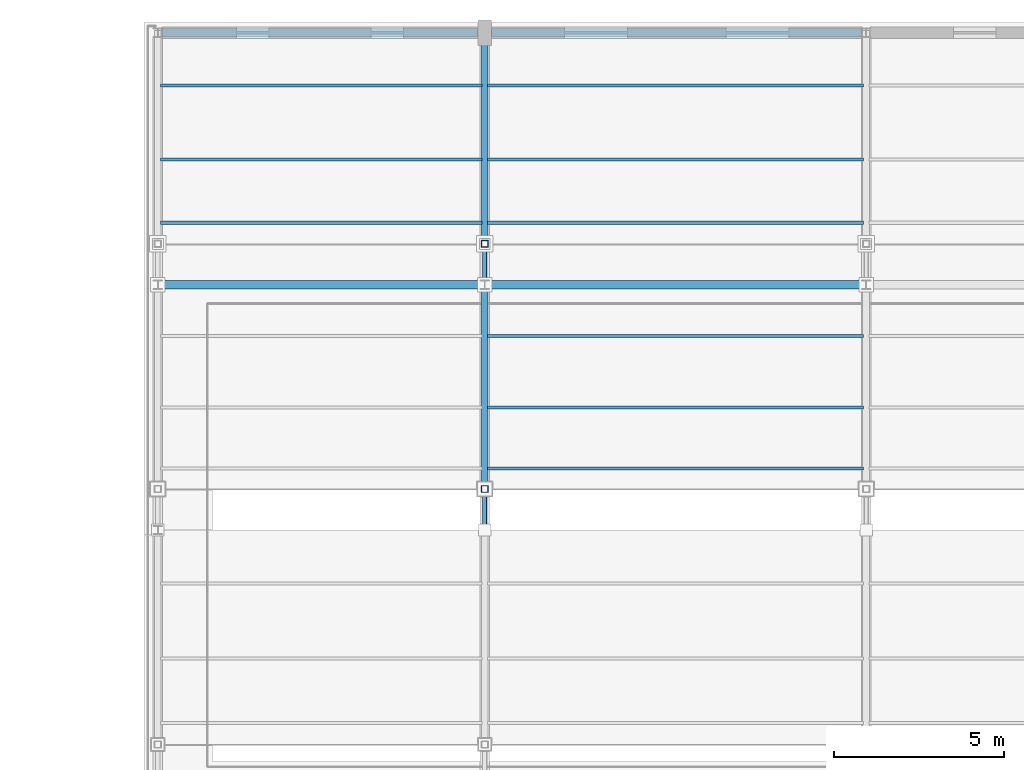
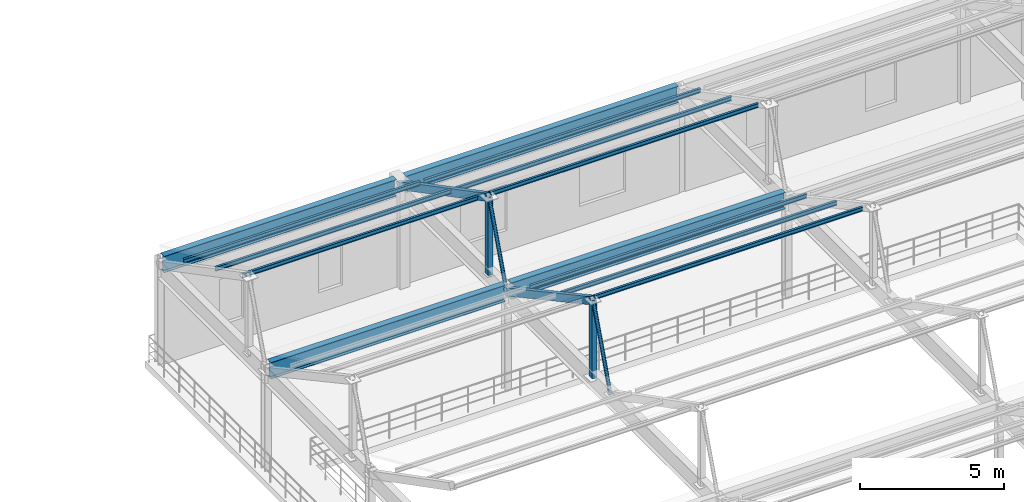
# One storey, part 58 of 112: 15 members, 4 beams.
"""IFC4 building model written with IfcOpenShell, lengths in metres."""

from ifc_helpers import new_model, si_unit, direction, frame, origin, origin_2d, place, context, subcontext, project, spatial, hollow_rectangle, hollow_circle, i_section, extrude, material, material_profile, profile_set, type_object, element, save


model = new_model("IFC4")

# Units and contexts
model_context = context("Model", 3, precision=1e-05, world=origin(), true_north=direction((0.0, 1.0)))
body_context = subcontext(model_context, "Body", "Model", "MODEL_VIEW")
ifc_project = project(units=[si_unit("LENGTHUNIT", "METRE"), si_unit("AREAUNIT", "SQUARE_METRE"), si_unit("VOLUMEUNIT", "CUBIC_METRE"), si_unit("PLANEANGLEUNIT", "RADIAN"), si_unit("MASSUNIT", "GRAM", prefix="KILO")], contexts=[model_context])

# Site, building, storey
site_placement = place(None, origin())
site = spatial("IfcSite", under=ifc_project, at=site_placement, CompositionType="ELEMENT")
building_placement = place(site_placement, origin())
building = spatial("IfcBuilding", under=site, at=building_placement, Name="Cinderbank Siding Concert Hall", CompositionType="ELEMENT")
storey_placement = place(building_placement, frame((0.0, 0.0, 10.199951171875)))
storey = spatial("IfcBuildingStorey", under=building, at=storey_placement, Name="L03", CompositionType="ELEMENT", Elevation=10.199951171875)

# Beams
ifc_material_1 = material(Name="Structural steel welded plate section AS/NZS 3679.2 / AS/NZS 3678 Grade 350 (340 MPa)", Category="steel")
ifc_material_profile_1 = material_profile(ifc_material_1, i_section(OverallWidth=0.25, OverallDepth=0.699951171875, WebThickness=0.010009765625, FlangeThickness=0.01611328125, at=origin_2d()), Name="700WB130", Category="LoadBearing")
ifc_profile_set_1 = profile_set([ifc_material_profile_1], Name="Structural steel welded plate section AS/NZS 3679.2 / AS/NZS 3678 Grade 350 (340 MPa)")
beam_type = type_object("IfcBeamType", Name="BM-WB700 700WB130", PredefinedType="BEAM", material=ifc_profile_set_1)
beam_1_placement = place(storey_placement, frame((118.52001953125, 110.5, 4.162109375), z_axis=(1.0, 0.0, 0.0), x_axis=(0.0, 1.0, 0.0)))
element("IfcBeam", 1, at=beam_1_placement, inside=storey, type_object=beam_type, Name="L03 Beam BM-WB700 #1732", PredefinedType="BEAM", context=body_context, shape_type="SweptSolid", body=[
    extrude(i_section(OverallWidth=0.25, OverallDepth=0.699951171875, WebThickness=0.010009765625, FlangeThickness=0.01611328125, at=origin_2d()), origin(), (0.0, 0.0, 1.0), 9.35986328125),
])
beam_2_placement = place(storey_placement, frame((118.52001953125, 117.89990234375, 4.162109375), z_axis=(1.0, 0.0, 0.0), x_axis=(0.0, 1.0, 0.0)))
element("IfcBeam", 2, at=beam_2_placement, inside=storey, type_object=beam_type, Name="L03 Beam BM-WB700 #1733", PredefinedType="BEAM", context=body_context, shape_type="SweptSolid", body=[
    extrude(i_section(OverallWidth=0.25, OverallDepth=0.699951171875, WebThickness=0.010009765625, FlangeThickness=0.01611328125, at=origin_2d()), origin(), (0.0, 0.0, 1.0), 9.2880859375),
])
beam_3_placement = place(storey_placement, frame((128.1201171875, 110.5, 4.162109375), z_axis=(1.0, 0.0, 0.0), x_axis=(0.0, 1.0, 0.0)))
element("IfcBeam", 3, at=beam_3_placement, inside=storey, type_object=beam_type, Name="L03 Beam BM-WB700 #1736", PredefinedType="BEAM", context=body_context, shape_type="SweptSolid", body=[
    extrude(i_section(OverallWidth=0.25, OverallDepth=0.699951171875, WebThickness=0.010009765625, FlangeThickness=0.01611328125, at=origin_2d()), origin(), (0.0, 0.0, 1.0), 10.9599609375),
])
beam_4_placement = place(storey_placement, frame((128.19189453125, 117.89990234375, 4.162109375), z_axis=(1.0, 0.0, 0.0), x_axis=(0.0, 1.0, 0.0)))
element("IfcBeam", 4, at=beam_4_placement, inside=storey, type_object=beam_type, Name="L03 Beam BM-WB700 #1737", PredefinedType="BEAM", context=body_context, shape_type="SweptSolid", body=[
    extrude(i_section(OverallWidth=0.25, OverallDepth=0.699951171875, WebThickness=0.010009765625, FlangeThickness=0.01611328125, at=origin_2d()), origin(), (0.0, 0.0, 1.0), 10.88818359375),
])

# Members
ifc_material_2 = material(Name="Structural steel hollow section AS/NZS 1163 Grade C350L0 (350 MPa)", Category="steel")
ifc_material_profile_2 = material_profile(ifc_material_2, hollow_circle(Radius=0.06982421875, WallThickness=0.00634765625, at=origin_2d()), Name="139.7x6.4CHS", Category="LoadBearing")
ifc_profile_set_2 = profile_set([ifc_material_profile_2], Name="Structural steel hollow section AS/NZS 1163 Grade C350L0 (350 MPa)")
member_type_1 = type_object("IfcMemberType", Name="BR-CHS139 139.7x6.4CHS Roof Truss", PredefinedType="BRACE", material=ifc_profile_set_2)
for number, where, z_axis, x_axis, name in (
    (5, (128.0, 103.300048828125, 4.150146484375), (0.0, 0.346361679598, 0.938101053675), (-1.0, 0.0, 0.0), "L03 Diagonal Brace BR-CHS139 #V3DG-BR-CHS139-L03-2458"),
    (6, (128.0, 110.5, 4.150146484375), (0.0, 0.346361679598, 0.938101053675), (-1.0, 0.0, 0.0), "L03 Diagonal Brace BR-CHS139 #V3DG-BR-CHS139-L03-2461"),
):
    element("IfcMember", number, at=place(storey_placement, frame(where, z_axis=z_axis, x_axis=x_axis)), inside=storey, type_object=member_type_1, Name=name, PredefinedType="BRACE", context=body_context, shape_type="SweptSolid", body=[
        extrude(hollow_circle(Radius=0.06982421875, WallThickness=0.00634765625, at=origin_2d()), origin(), (0.0, 0.0, 1.0), 3.46435546875),
    ])
ifc_material_profile_3 = material_profile(ifc_material_2, hollow_rectangle(XDim=0.199951171875, YDim=0.199951171875, WallThickness=0.009033203125, at=origin_2d()), Name="200x200x9.0SHS", Category="LoadBearing")
ifc_profile_set_3 = profile_set([ifc_material_profile_3], Name="Structural steel hollow section AS/NZS 1163 Grade C350L0 (350 MPa)")
member_type_2 = type_object("IfcMemberType", Name="BR-SHS200 200x200x9.0SHS Roof Truss", PredefinedType="BRACE", material=ifc_profile_set_3)
for number, where, z_axis, x_axis, name in (
    (7, (128.0, 104.5, 4.150146484375), (0.0, 0.0, 1.0), (1.0, 0.0, 0.0), "L03 Diagonal Brace BR-SHS200 #V3ST-BR-SHS200-L03-2457"),
    (8, (128.0, 111.699951171875, 4.150146484375), (0.0, 0.0, 1.0), (1.0, 0.0, 0.0), "L03 Diagonal Brace BR-SHS200 #V3ST-BR-SHS200-L03-2460"),
):
    element("IfcMember", number, at=place(storey_placement, frame(where, z_axis=z_axis, x_axis=x_axis)), inside=storey, type_object=member_type_2, Name=name, PredefinedType="BRACE", context=body_context, shape_type="SweptSolid", body=[
        extrude(hollow_rectangle(XDim=0.199951171875, YDim=0.199951171875, WallThickness=0.009033203125, at=origin_2d()), origin(), (0.0, 0.0, 1.0), 3.25),
    ])
ifc_material_3 = material(Name="Structural steel AS/NZS 3679.1 Grade 350 (340 MPa)", Category="steel")
ifc_material_profile_4 = material_profile(ifc_material_3, i_section(OverallWidth=0.090087890625, OverallDepth=0.175048828125, WebThickness=0.0048828125, FlangeThickness=0.008056640625, at=origin_2d()), Name="180UB18.1", Category="LoadBearing")
ifc_profile_set_4 = profile_set([ifc_material_profile_4], Name="Structural steel AS/NZS 3679.1 Grade 350 (340 MPa)")
member_type_3 = type_object("IfcMemberType", Name="PR-UB180 180UB18.1 Roof Truss", PredefinedType="PURLIN", material=ifc_profile_set_4)
for number, where, z_axis, x_axis, name in (
    (9, (118.47998046875, 116.35009765625, 5.199951171875), (1.0, 0.0, 0.0), (0.0, 1.0, 0.0), "L03 Roof Truss Member PR-UB180 #2495"),
    (10, (118.47998046875, 114.179931640625, 6.179931640625), (1.0, 0.0, 0.0), (0.0, 1.0, 0.0), "L03 Roof Truss Member PR-UB180 #2496"),
    (11, (118.47998046875, 112.320068359375, 7.02001953125), (1.0, 0.0, 0.0), (0.0, 1.0, 0.0), "L03 Roof Truss Member PR-UB180 #2497"),
):
    element("IfcMember", number, at=place(storey_placement, frame(where, z_axis=z_axis, x_axis=x_axis)), inside=storey, type_object=member_type_3, Name=name, PredefinedType="PURLIN", context=body_context, shape_type="SweptSolid", body=[
        extrude(i_section(OverallWidth=0.090087890625, OverallDepth=0.175048828125, WebThickness=0.0048828125, FlangeThickness=0.008056640625, at=origin_2d()), origin(), (0.0, 0.0, 1.0), 9.43994140625),
    ])
for number, where, z_axis, x_axis, name in (
    (12, (128.080078125, 109.0, 5.199951171875), (1.0, 0.0, 0.0), (0.0, 1.0, 0.0), "L03 Roof Truss Member PR-UB180 #2504"),
    (13, (128.080078125, 106.89990234375, 6.179931640625), (1.0, 0.0, 0.0), (0.0, 1.0, 0.0), "L03 Roof Truss Member PR-UB180 #2505"),
    (14, (128.080078125, 105.10009765625, 7.02001953125), (1.0, 0.0, 0.0), (0.0, 1.0, 0.0), "L03 Roof Truss Member PR-UB180 #2506"),
    (15, (128.080078125, 116.35009765625, 5.199951171875), (1.0, 0.0, 0.0), (0.0, 1.0, 0.0), "L03 Roof Truss Member PR-UB180 #2507"),
    (16, (128.080078125, 114.179931640625, 6.179931640625), (1.0, 0.0, 0.0), (0.0, 1.0, 0.0), "L03 Roof Truss Member PR-UB180 #2508"),
    (17, (128.080078125, 112.320068359375, 7.02001953125), (1.0, 0.0, 0.0), (0.0, 1.0, 0.0), "L03 Roof Truss Member PR-UB180 #2509"),
):
    element("IfcMember", number, at=place(storey_placement, frame(where, z_axis=z_axis, x_axis=x_axis)), inside=storey, type_object=member_type_3, Name=name, PredefinedType="PURLIN", context=body_context, shape_type="SweptSolid", body=[
        extrude(i_section(OverallWidth=0.090087890625, OverallDepth=0.175048828125, WebThickness=0.0048828125, FlangeThickness=0.008056640625, at=origin_2d()), origin(), (0.0, 0.0, 1.0), 11.0400390625),
    ])
ifc_material_profile_5 = material_profile(ifc_material_2, hollow_rectangle(XDim=0.199951171875, YDim=0.300048828125, WallThickness=0.010009765625, at=origin_2d()), Name="300x200x10.0RHS", Category="LoadBearing")
ifc_profile_set_5 = profile_set([ifc_material_profile_5], Name="Structural steel hollow section AS/NZS 1163 Grade C350L0 (350 MPa)")
member_type_4 = type_object("IfcMemberType", Name="TR-RHS300 300x200x10.0RHS Roof Truss", PredefinedType="RAFTER", material=ifc_profile_set_5)
member_1_placement = place(storey_placement, frame((128.0, 110.5, 4.150146484375), z_axis=(0.0, -0.879291966537, 0.476283148541), x_axis=(1.0, 0.0, 0.0)))
element("IfcMember", 18, at=member_1_placement, inside=storey, type_object=member_type_4, Name="L03 Roof Truss Member TR-RHS300 #2456", PredefinedType="RAFTER", context=body_context, shape_type="SweptSolid", body=[
    extrude(hollow_rectangle(XDim=0.199951171875, YDim=0.300048828125, WallThickness=0.010009765625, at=origin_2d()), origin(), (0.0, 0.0, 1.0), 6.82373046875),
])
member_2_placement = place(storey_placement, frame((128.0, 117.89990234375, 4.150146484375), z_axis=(0.0, -0.885690188292, 0.464276738986), x_axis=(1.0, 0.0, 0.0)))
element("IfcMember", 19, at=member_2_placement, inside=storey, type_object=member_type_4, Name="L03 Roof Truss Member TR-RHS300 #2459", PredefinedType="RAFTER", context=body_context, shape_type="SweptSolid", body=[
    extrude(hollow_rectangle(XDim=0.199951171875, YDim=0.300048828125, WallThickness=0.010009765625, at=origin_2d()), origin(), (0.0, 0.0, 1.0), 7.000244140625),
])

save(model, "model.ifc")
